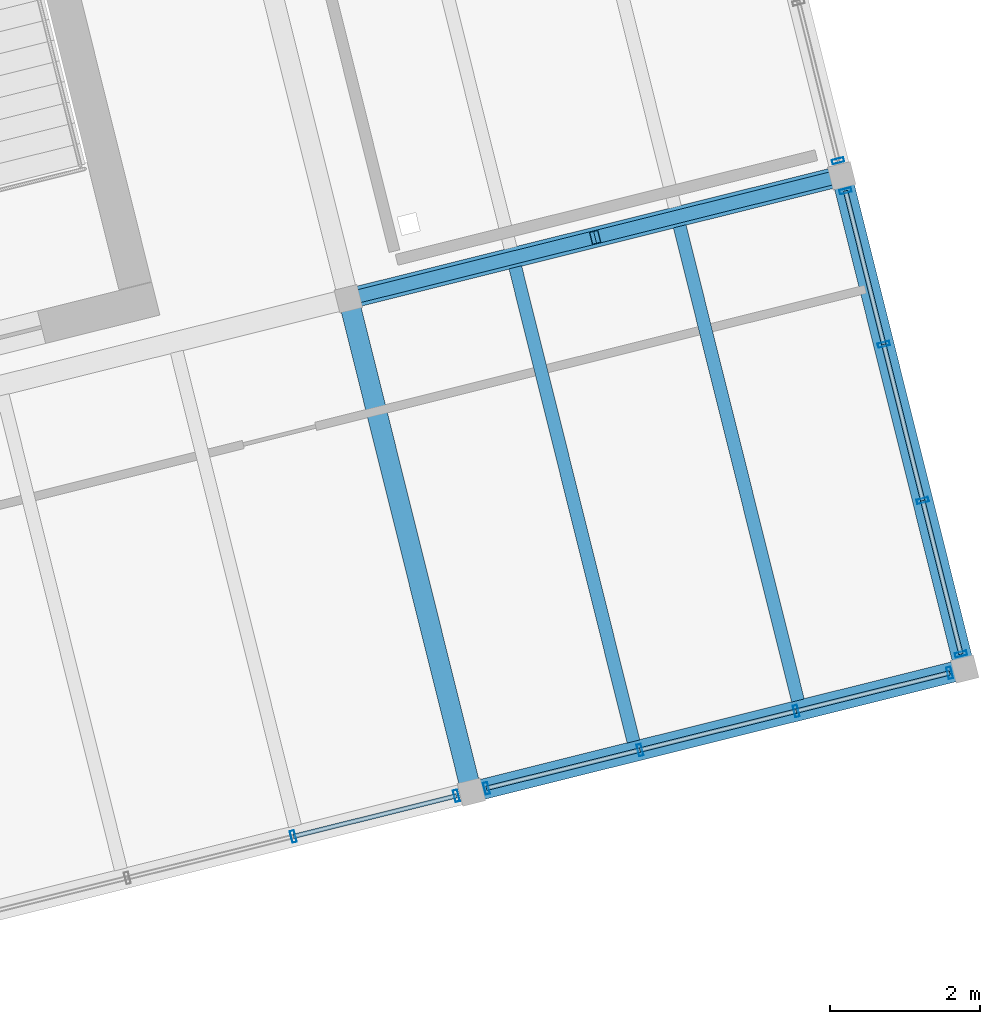
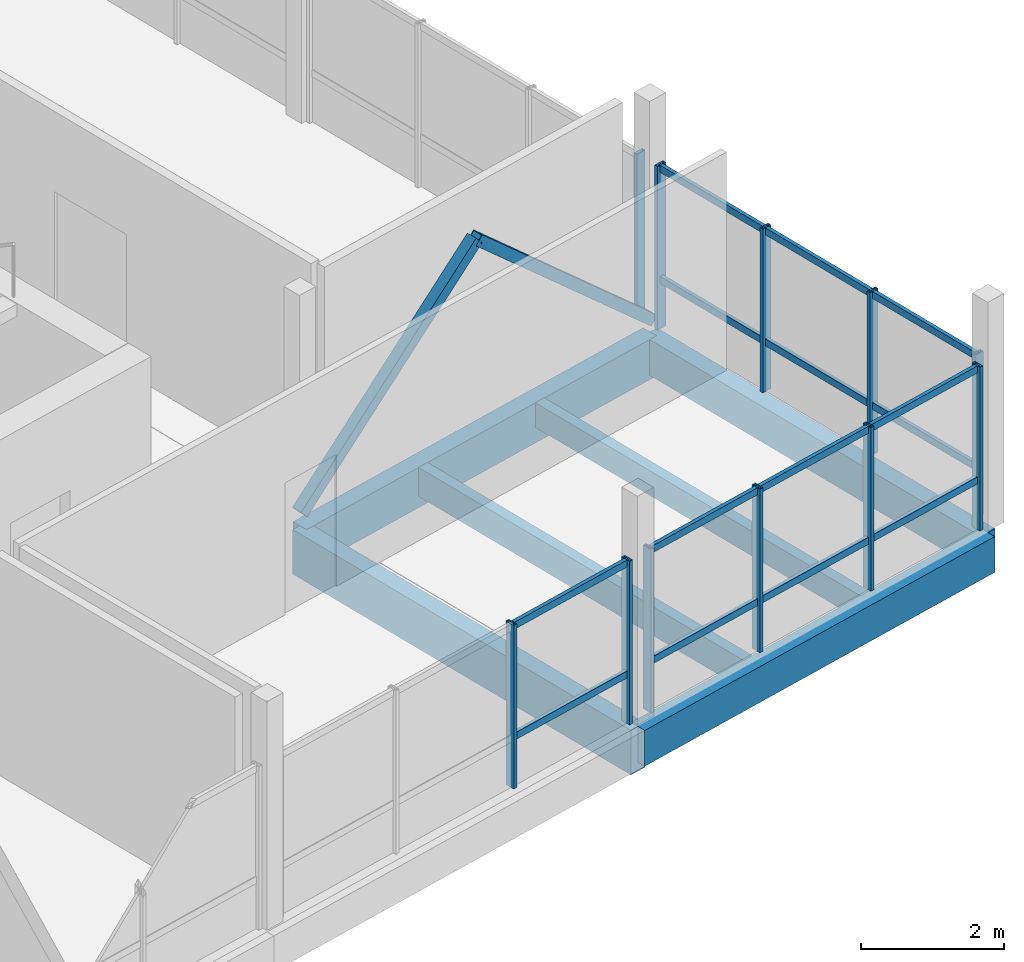
# One storey, part 16 of 25: 27 members, 6 beams, 4 elements without a shape of their own.
"""IFC4 building model written with IfcOpenShell, lengths in metres."""

from ifc_helpers import new_model, si_unit, direction, frame, origin, origin_2d, place, context, subcontext, project, spatial, rectangle, hollow_rectangle, extrude, material, layer, layer_set, material_profile, profile_set, type_object, element, aggregate, save


model = new_model("IFC4")

# Units and contexts
model_context = context("Model", 3, precision=1e-05, world=origin(), true_north=direction((0.0, 1.0)))
body_context = subcontext(model_context, "Body", "Model", "MODEL_VIEW")
ifc_project = project(units=[si_unit("LENGTHUNIT", "METRE"), si_unit("AREAUNIT", "SQUARE_METRE"), si_unit("VOLUMEUNIT", "CUBIC_METRE"), si_unit("PLANEANGLEUNIT", "RADIAN"), si_unit("MASSUNIT", "GRAM", prefix="KILO")], contexts=[model_context])

# Site, building, storey
site_placement = place(None, origin())
site = spatial("IfcSite", under=ifc_project, at=site_placement, CompositionType="ELEMENT")
building_placement = place(site_placement, origin())
building = spatial("IfcBuilding", under=site, at=building_placement, Name="Meriwether Solvik Hall", CompositionType="ELEMENT")
storey_placement = place(building_placement, frame((0.0, 0.0, 49.5)))
storey = spatial("IfcBuildingStorey", under=building, at=storey_placement, Name="L12", CompositionType="ELEMENT", Elevation=49.5)

# Beams
ifc_material_1 = material(Name="Glulam Douglas-Fir 24F-V8 GL28h", Category="wood")
ifc_material_profile_1 = material_profile(ifc_material_1, rectangle(XDim=0.27294921875, YDim=0.610107421875, at=origin_2d()), Name="GLB-273X610")
ifc_profile_set_1 = profile_set([ifc_material_profile_1], Name="Glulam Douglas-Fir 24F-V8 GL28h")
beam_type_1 = type_object("IfcBeamType", Name="BM-GL-273X610", PredefinedType="SPANDREL", material=ifc_profile_set_1)
for number, where, z_axis, x_axis, name in (
    (1, (96.9326171875, 48.26416015625, -0.485107421875), (0.970298579828, 0.24191045034, 0.0), (-0.24191045034, 0.970298579828, 0.0), "Tower Girder TA:T5-T6 (L12)"),
    (2, (103.53076171875, 49.9091796875, -0.485107421875), (-0.2419526798, 0.970288050394, 0.0), (-0.970288050394, -0.2419526798, 0.0), "Tower Girder T6:TA-TB (L12)"),
):
    element("IfcBeam", number, at=place(storey_placement, frame(where, z_axis=z_axis, x_axis=x_axis)), inside=storey, type_object=beam_type_1, Name=name, PredefinedType="SPANDREL", context=body_context, shape_type="SweptSolid", body=[
        extrude(rectangle(XDim=0.27294921875, YDim=0.610107421875, at=origin_2d()), origin(), (0.0, 0.0, 1.0), 6.800048828125),
    ])
ifc_material_2 = material(Name="Glulam Douglas-Fir 24F-V8 GL28h", Category="wood")
ifc_material_profile_2 = material_profile(ifc_material_2, rectangle(XDim=0.27294921875, YDim=0.68505859375, at=origin_2d()), Name="GLB-273X685")
ifc_profile_set_2 = profile_set([ifc_material_profile_2], Name="Glulam Douglas-Fir 24F-V8 GL28h")
beam_type_2 = type_object("IfcBeamType", Name="BM-GL-273X685", PredefinedType="BEAM", material=ifc_profile_set_2)
beam_1_placement = place(storey_placement, frame((95.28759765625, 54.862060546875, -0.5224609375), z_axis=(0.970296478685, 0.241918877831, 0.0), x_axis=(-0.241918877831, 0.970296478685, 0.0)))
element("IfcBeam", 3, at=beam_1_placement, inside=storey, type_object=beam_type_2, Name="Tower Girder TB:T5-T6 (L12)", PredefinedType="BEAM", context=body_context, shape_type="SweptSolid", body=[
    extrude(rectangle(XDim=0.27294921875, YDim=0.68505859375, at=origin_2d()), origin(), (0.0, 0.0, 1.0), 6.7998046875),
])
ifc_material_3 = material(Name="Glulam Douglas-Fir 24F-V8 GL28h", Category="wood")
ifc_material_profile_3 = material_profile(ifc_material_3, rectangle(XDim=0.27294921875, YDim=0.760009765625, at=origin_2d()), Name="GLB-273X760")
ifc_profile_set_3 = profile_set([ifc_material_profile_3], Name="Glulam Douglas-Fir 24F-V8 GL28h")
beam_type_3 = type_object("IfcBeamType", Name="BM-GL-273X760", PredefinedType="BEAM", material=ifc_profile_set_3)
beam_2_placement = place(storey_placement, frame((96.9326171875, 48.26416015625, -0.56005859375), z_axis=(-0.241918877831, 0.970296478685, 0.0), x_axis=(-0.970296478685, -0.241918877831, 0.0)))
element("IfcBeam", 4, at=beam_2_placement, inside=storey, type_object=beam_type_3, Name="Tower Girder T5:TA-TB (L12)", PredefinedType="BEAM", context=body_context, shape_type="SweptSolid", body=[
    extrude(rectangle(XDim=0.27294921875, YDim=0.760009765625, at=origin_2d()), origin(), (0.0, 0.0, 1.0), 6.7998046875),
])

# Curtain wall, members
ifc_material_4 = material(Name="Thermally Broken Anodised Aluminium 6063-T6 and Low-E Glass", Category="aluminium")
ifc_layer_1 = layer(ifc_material_4, 0.179931640625)
ifc_layer_set_1 = layer_set([ifc_layer_1], Name="Thermally Broken Anodised Aluminium 6063-T6 and Low-E Glass")
curtain_wall_type_1 = type_object("IfcCurtainWallType", Name="CW-UNIT-F", PredefinedType="USERDEFINED", material=ifc_layer_set_1)
curtain_wall_1_placement = place(storey_placement, origin())
curtain_wall_1 = element("IfcCurtainWall", 5, at=curtain_wall_1_placement, inside=storey, type_object=curtain_wall_type_1, Name="Curtain Wall E0_B3 (L12)", ObjectType="UNITISED CURTAIN WALL", PredefinedType="USERDEFINED")
ifc_material_5 = material(Name="Anodised Aluminium 6063-T6", Category="aluminium")
ifc_material_profile_4 = material_profile(ifc_material_5, hollow_rectangle(XDim=0.06005859375, YDim=0.159912109375, WallThickness=0.00390625, at=origin_2d()), Name="CWM-60X160")
ifc_profile_set_4 = profile_set([ifc_material_profile_4], Name="Anodised Aluminium 6063-T6")
member_type_1 = type_object("IfcMemberType", Name="CW-MUL-60X160", PredefinedType="MULLION", material=ifc_profile_set_4)
member_1_placement = place(storey_placement, frame((96.731201171875, 48.2138671875, 0.0), z_axis=(0.0, 0.0, 1.0), x_axis=(-0.970295696551, -0.241922014821, 0.0)))
member_1 = element("IfcMember", 6, at=member_1_placement, type_object=member_type_1, Name="Curtain Wall Mullion 1", PredefinedType="MULLION", context=body_context, shape_type="SweptSolid", body=[
    extrude(hollow_rectangle(XDim=0.06005859375, YDim=0.159912109375, WallThickness=0.00390625, at=origin_2d()), origin(), (0.0, 0.0, 1.0), 2.7900390625),
])
member_2_placement = place(storey_placement, frame((94.549072265625, 47.669921875, 0.0), z_axis=(0.0, 0.0, 1.0), x_axis=(-0.970295696551, -0.241922014821, 0.0)))
member_2 = element("IfcMember", 7, at=member_2_placement, type_object=member_type_1, Name="Curtain Wall Mullion 2", PredefinedType="MULLION", context=body_context, shape_type="SweptSolid", body=[
    extrude(hollow_rectangle(XDim=0.06005859375, YDim=0.159912109375, WallThickness=0.00390625, at=origin_2d()), origin(), (0.0, 0.0, 1.0), 2.7900390625),
])

ifc_material_6 = material(Name="Thermally Broken Anodised Aluminium 6063-T6 and Low-E Glass", Category="aluminium")
ifc_layer_2 = layer(ifc_material_6, 0.179931640625)
ifc_layer_set_2 = layer_set([ifc_layer_2], Name="Thermally Broken Anodised Aluminium 6063-T6 and Low-E Glass")
curtain_wall_type_2 = type_object("IfcCurtainWallType", Name="CW-UNIT-G", PredefinedType="USERDEFINED", material=ifc_layer_set_2)
curtain_wall_2_placement = place(storey_placement, origin())
curtain_wall_2 = element("IfcCurtainWall", 8, at=curtain_wall_2_placement, inside=storey, type_object=curtain_wall_type_2, Name="Curtain Wall E0_B4 (L12)", ObjectType="UNITISED CURTAIN WALL", PredefinedType="USERDEFINED")
member_3_placement = place(storey_placement, frame((103.329345703125, 49.85888671875, 0.0), z_axis=(0.0, 0.0, 1.0), x_axis=(-0.970295742456, -0.241921830705, 0.0)))
member_3 = element("IfcMember", 9, at=member_3_placement, type_object=member_type_1, Name="Curtain Wall Mullion 1", PredefinedType="MULLION", context=body_context, shape_type="SweptSolid", body=[
    extrude(hollow_rectangle(XDim=0.06005859375, YDim=0.159912109375, WallThickness=0.00390625, at=origin_2d()), origin(), (0.0, 0.0, 1.0), 2.7900390625),
])
member_4_placement = place(storey_placement, frame((101.276611328125, 49.34716796875, 0.0), z_axis=(0.0, 0.0, 1.0), x_axis=(-0.970295742456, -0.241921830705, 0.0)))
member_4 = element("IfcMember", 10, at=member_4_placement, type_object=member_type_1, Name="Curtain Wall Mullion 2", PredefinedType="MULLION", context=body_context, shape_type="SweptSolid", body=[
    extrude(hollow_rectangle(XDim=0.06005859375, YDim=0.159912109375, WallThickness=0.00390625, at=origin_2d()), origin(), (0.0, 0.0, 1.0), 2.7900390625),
])
member_5_placement = place(storey_placement, frame((99.186767578125, 48.826171875, 0.0), z_axis=(0.0, 0.0, 1.0), x_axis=(-0.970295742456, -0.241921830705, 0.0)))
member_5 = element("IfcMember", 11, at=member_5_placement, type_object=member_type_1, Name="Curtain Wall Mullion 3", PredefinedType="MULLION", context=body_context, shape_type="SweptSolid", body=[
    extrude(hollow_rectangle(XDim=0.06005859375, YDim=0.159912109375, WallThickness=0.00390625, at=origin_2d()), origin(), (0.0, 0.0, 1.0), 2.7900390625),
])
member_6_placement = place(storey_placement, frame((97.134033203125, 48.314208984375, 0.0), z_axis=(0.0, 0.0, 1.0), x_axis=(-0.970295742456, -0.241921830705, 0.0)))
member_6 = element("IfcMember", 12, at=member_6_placement, type_object=member_type_1, Name="Curtain Wall Mullion 4", PredefinedType="MULLION", context=body_context, shape_type="SweptSolid", body=[
    extrude(hollow_rectangle(XDim=0.06005859375, YDim=0.159912109375, WallThickness=0.00390625, at=origin_2d()), origin(), (0.0, 0.0, 1.0), 2.7900390625),
])

ifc_material_7 = material(Name="Thermally Broken Anodised Aluminium 6063-T6 and Low-E Glass", Category="aluminium")
ifc_layer_3 = layer(ifc_material_7, 0.179931640625)
ifc_layer_set_3 = layer_set([ifc_layer_3], Name="Thermally Broken Anodised Aluminium 6063-T6 and Low-E Glass")
curtain_wall_type_3 = type_object("IfcCurtainWallType", Name="CW-UNIT-D", PredefinedType="USERDEFINED", material=ifc_layer_set_3)
curtain_wall_3_placement = place(storey_placement, origin())
curtain_wall_3 = element("IfcCurtainWall", 13, at=curtain_wall_3_placement, inside=storey, type_object=curtain_wall_type_3, Name="Curtain Wall E1_B0 (L12)", ObjectType="UNITISED CURTAIN WALL", PredefinedType="USERDEFINED")
member_7_placement = place(storey_placement, frame((101.935791015625, 56.305908203125, 0.0), z_axis=(0.0, 0.0, 1.0), x_axis=(0.241921830705, -0.970295742456, 0.0)))
member_7 = element("IfcMember", 14, at=member_7_placement, type_object=member_type_1, Name="Curtain Wall Mullion 1", PredefinedType="MULLION", context=body_context, shape_type="SweptSolid", body=[
    extrude(hollow_rectangle(XDim=0.06005859375, YDim=0.159912109375, WallThickness=0.00390625, at=origin_2d()), origin(), (0.0, 0.0, 1.0), 2.7900390625),
])
member_8_placement = place(storey_placement, frame((102.447509765625, 54.2529296875, 0.0), z_axis=(0.0, 0.0, 1.0), x_axis=(0.241921830705, -0.970295742456, 0.0)))
member_8 = element("IfcMember", 15, at=member_8_placement, type_object=member_type_1, Name="Curtain Wall Mullion 2", PredefinedType="MULLION", context=body_context, shape_type="SweptSolid", body=[
    extrude(hollow_rectangle(XDim=0.06005859375, YDim=0.159912109375, WallThickness=0.00390625, at=origin_2d()), origin(), (0.0, 0.0, 1.0), 2.7900390625),
])
member_9_placement = place(storey_placement, frame((102.968505859375, 52.163330078125, 0.0), z_axis=(0.0, 0.0, 1.0), x_axis=(0.241921830705, -0.970295742456, 0.0)))
member_9 = element("IfcMember", 16, at=member_9_placement, type_object=member_type_1, Name="Curtain Wall Mullion 3", PredefinedType="MULLION", context=body_context, shape_type="SweptSolid", body=[
    extrude(hollow_rectangle(XDim=0.06005859375, YDim=0.159912109375, WallThickness=0.00390625, at=origin_2d()), origin(), (0.0, 0.0, 1.0), 2.7900390625),
])
member_10_placement = place(storey_placement, frame((103.48046875, 50.110595703125, 0.0), z_axis=(0.0, 0.0, 1.0), x_axis=(0.241921830705, -0.970295742456, 0.0)))
member_10 = element("IfcMember", 17, at=member_10_placement, type_object=member_type_1, Name="Curtain Wall Mullion 4", PredefinedType="MULLION", context=body_context, shape_type="SweptSolid", body=[
    extrude(hollow_rectangle(XDim=0.06005859375, YDim=0.159912109375, WallThickness=0.00390625, at=origin_2d()), origin(), (0.0, 0.0, 1.0), 2.7900390625),
])

# Curtain wall, member
ifc_material_8 = material(Name="Thermally Broken Anodised Aluminium 6063-T6 and Low-E Glass", Category="aluminium")
ifc_layer_4 = layer(ifc_material_8, 0.179931640625)
ifc_layer_set_4 = layer_set([ifc_layer_4], Name="Thermally Broken Anodised Aluminium 6063-T6 and Low-E Glass")
curtain_wall_type_4 = type_object("IfcCurtainWallType", Name="CW-UNIT-E", PredefinedType="USERDEFINED", material=ifc_layer_set_4)
curtain_wall_4_placement = place(storey_placement, origin())
curtain_wall_4 = element("IfcCurtainWall", 18, at=curtain_wall_4_placement, inside=storey, type_object=curtain_wall_type_4, Name="Curtain Wall E1_B1 (L12)", ObjectType="UNITISED CURTAIN WALL", PredefinedType="USERDEFINED")
member_11_placement = place(storey_placement, frame((101.83544921875, 56.70849609375, 0.0), z_axis=(0.0, 0.0, 1.0), x_axis=(0.241921784185, -0.970295754055, 0.0)))
member_11 = element("IfcMember", 19, at=member_11_placement, type_object=member_type_1, Name="Curtain Wall Mullion 4", PredefinedType="MULLION", context=body_context, shape_type="SweptSolid", body=[
    extrude(hollow_rectangle(XDim=0.06005859375, YDim=0.159912109375, WallThickness=0.00390625, at=origin_2d()), origin(), (0.0, 0.0, 1.0), 2.7900390625),
])
aggregate(curtain_wall_4, [member_11])

# Member
ifc_material_9 = material(Name="Anodised Aluminium 6063-T6", Category="aluminium")
ifc_material_profile_5 = material_profile(ifc_material_9, hollow_rectangle(XDim=0.06005859375, YDim=0.1201171875, WallThickness=0.00390625, at=origin_2d()), Name="CWT-60X120")
ifc_profile_set_5 = profile_set([ifc_material_profile_5], Name="Anodised Aluminium 6063-T6")
member_type_2 = type_object("IfcMemberType", Name="CW-TRN-60X120", PredefinedType="USERDEFINED", material=ifc_profile_set_5)
member_12_placement = place(storey_placement, frame((96.731201171875, 48.2138671875, 0.8369140625), z_axis=(-0.970308305597, -0.241871437108, 0.0), x_axis=(0.241871437108, -0.970308305597, 0.0)))
member_12 = element("IfcMember", 20, at=member_12_placement, type_object=member_type_2, Name="Curtain Wall Transom 1-sill", ObjectType="TRANSOM", PredefinedType="USERDEFINED", context=body_context, shape_type="SweptSolid", body=[
    extrude(hollow_rectangle(XDim=0.06005859375, YDim=0.1201171875, WallThickness=0.00390625, at=origin_2d()), origin(), (0.0, 0.0, 1.0), 2.2490234375),
])

member_13_placement = place(storey_placement, frame((96.731201171875, 48.2138671875, 2.72998046875), z_axis=(-0.970308305597, -0.241871437108, 0.0), x_axis=(0.241871437108, -0.970308305597, 0.0)))
member_13 = element("IfcMember", 21, at=member_13_placement, type_object=member_type_2, Name="Curtain Wall Transom 1-head", ObjectType="TRANSOM", PredefinedType="USERDEFINED", context=body_context, shape_type="SweptSolid", body=[
    extrude(hollow_rectangle(XDim=0.06005859375, YDim=0.1201171875, WallThickness=0.00390625, at=origin_2d()), origin(), (0.0, 0.0, 1.0), 2.2490234375),
])

aggregate(curtain_wall_1, [member_1, member_2, member_12, member_13])

member_14_placement = place(storey_placement, frame((103.329345703125, 49.85888671875, 0.8369140625), z_axis=(-0.970305202605, -0.24188388495, 0.0), x_axis=(0.24188388495, -0.970305202605, 0.0)))
member_14 = element("IfcMember", 22, at=member_14_placement, type_object=member_type_2, Name="Curtain Wall Transom 1-sill", ObjectType="TRANSOM", PredefinedType="USERDEFINED", context=body_context, shape_type="SweptSolid", body=[
    extrude(hollow_rectangle(XDim=0.06005859375, YDim=0.1201171875, WallThickness=0.00390625, at=origin_2d()), origin(), (0.0, 0.0, 1.0), 2.115478515625),
])

member_15_placement = place(storey_placement, frame((103.329345703125, 49.85888671875, 2.72998046875), z_axis=(-0.970305202605, -0.24188388495, 0.0), x_axis=(0.24188388495, -0.970305202605, 0.0)))
member_15 = element("IfcMember", 23, at=member_15_placement, type_object=member_type_2, Name="Curtain Wall Transom 1-head", ObjectType="TRANSOM", PredefinedType="USERDEFINED", context=body_context, shape_type="SweptSolid", body=[
    extrude(hollow_rectangle(XDim=0.06005859375, YDim=0.1201171875, WallThickness=0.00390625, at=origin_2d()), origin(), (0.0, 0.0, 1.0), 2.115478515625),
])

member_16_placement = place(storey_placement, frame((101.276611328125, 49.34716796875, 0.8369140625), z_axis=(-0.970302316838, -0.241895460763, 0.0), x_axis=(0.241895460763, -0.970302316838, 0.0)))
member_16 = element("IfcMember", 24, at=member_16_placement, type_object=member_type_2, Name="Curtain Wall Transom 2-sill", ObjectType="TRANSOM", PredefinedType="USERDEFINED", context=body_context, shape_type="SweptSolid", body=[
    extrude(hollow_rectangle(XDim=0.06005859375, YDim=0.1201171875, WallThickness=0.00390625, at=origin_2d()), origin(), (0.0, 0.0, 1.0), 2.15380859375),
])

member_17_placement = place(storey_placement, frame((101.276611328125, 49.34716796875, 2.72998046875), z_axis=(-0.970302316838, -0.241895460763, 0.0), x_axis=(0.241895460763, -0.970302316838, 0.0)))
member_17 = element("IfcMember", 25, at=member_17_placement, type_object=member_type_2, Name="Curtain Wall Transom 2-head", ObjectType="TRANSOM", PredefinedType="USERDEFINED", context=body_context, shape_type="SweptSolid", body=[
    extrude(hollow_rectangle(XDim=0.06005859375, YDim=0.1201171875, WallThickness=0.00390625, at=origin_2d()), origin(), (0.0, 0.0, 1.0), 2.15380859375),
])

member_18_placement = place(storey_placement, frame((99.186767578125, 48.826171875, 0.8369140625), z_axis=(-0.970278112146, -0.241992531062, 0.0), x_axis=(0.241992531062, -0.970278112146, 0.0)))
member_18 = element("IfcMember", 26, at=member_18_placement, type_object=member_type_2, Name="Curtain Wall Transom 3-sill", ObjectType="TRANSOM", PredefinedType="USERDEFINED", context=body_context, shape_type="SweptSolid", body=[
    extrude(hollow_rectangle(XDim=0.06005859375, YDim=0.1201171875, WallThickness=0.00390625, at=origin_2d()), origin(), (0.0, 0.0, 1.0), 2.11572265625),
])

member_19_placement = place(storey_placement, frame((99.186767578125, 48.826171875, 2.72998046875), z_axis=(-0.970278112146, -0.241992531062, 0.0), x_axis=(0.241992531062, -0.970278112146, 0.0)))
member_19 = element("IfcMember", 27, at=member_19_placement, type_object=member_type_2, Name="Curtain Wall Transom 3-head", ObjectType="TRANSOM", PredefinedType="USERDEFINED", context=body_context, shape_type="SweptSolid", body=[
    extrude(hollow_rectangle(XDim=0.06005859375, YDim=0.1201171875, WallThickness=0.00390625, at=origin_2d()), origin(), (0.0, 0.0, 1.0), 2.11572265625),
])

aggregate(curtain_wall_2, [member_3, member_4, member_5, member_6, member_14, member_15, member_16, member_17, member_18, member_19])

member_20_placement = place(storey_placement, frame((101.935791015625, 56.305908203125, 0.8369140625), z_axis=(0.241856802757, -0.970311953425, 0.0), x_axis=(0.970311953425, 0.241856802757, 0.0)))
member_20 = element("IfcMember", 28, at=member_20_placement, type_object=member_type_2, Name="Curtain Wall Transom 1-sill", ObjectType="TRANSOM", PredefinedType="USERDEFINED", context=body_context, shape_type="SweptSolid", body=[
    extrude(hollow_rectangle(XDim=0.06005859375, YDim=0.1201171875, WallThickness=0.00390625, at=origin_2d()), origin(), (0.0, 0.0, 1.0), 2.11572265625),
])

member_21_placement = place(storey_placement, frame((101.935791015625, 56.305908203125, 2.72998046875), z_axis=(0.241856802757, -0.970311953425, 0.0), x_axis=(0.970311953425, 0.241856802757, 0.0)))
member_21 = element("IfcMember", 29, at=member_21_placement, type_object=member_type_2, Name="Curtain Wall Transom 1-head", ObjectType="TRANSOM", PredefinedType="USERDEFINED", context=body_context, shape_type="SweptSolid", body=[
    extrude(hollow_rectangle(XDim=0.06005859375, YDim=0.1201171875, WallThickness=0.00390625, at=origin_2d()), origin(), (0.0, 0.0, 1.0), 2.11572265625),
])

member_22_placement = place(storey_placement, frame((102.447509765625, 54.2529296875, 0.8369140625), z_axis=(0.241922068895, -0.970295683069, 0.0), x_axis=(0.970295683069, 0.241922068895, 0.0)))
member_22 = element("IfcMember", 30, at=member_22_placement, type_object=member_type_2, Name="Curtain Wall Transom 2-sill", ObjectType="TRANSOM", PredefinedType="USERDEFINED", context=body_context, shape_type="SweptSolid", body=[
    extrude(hollow_rectangle(XDim=0.06005859375, YDim=0.1201171875, WallThickness=0.00390625, at=origin_2d()), origin(), (0.0, 0.0, 1.0), 2.153564453125),
])

member_23_placement = place(storey_placement, frame((102.447509765625, 54.2529296875, 2.72998046875), z_axis=(0.241922068895, -0.970295683069, 0.0), x_axis=(0.970295683069, 0.241922068895, 0.0)))
member_23 = element("IfcMember", 31, at=member_23_placement, type_object=member_type_2, Name="Curtain Wall Transom 2-head", ObjectType="TRANSOM", PredefinedType="USERDEFINED", context=body_context, shape_type="SweptSolid", body=[
    extrude(hollow_rectangle(XDim=0.06005859375, YDim=0.1201171875, WallThickness=0.00390625, at=origin_2d()), origin(), (0.0, 0.0, 1.0), 2.153564453125),
])

member_24_placement = place(storey_placement, frame((102.968505859375, 52.163330078125, 0.8369140625), z_axis=(0.241992531062, -0.970278112146, 0.0), x_axis=(0.970278112146, 0.241992531062, 0.0)))
member_24 = element("IfcMember", 32, at=member_24_placement, type_object=member_type_2, Name="Curtain Wall Transom 3-sill", ObjectType="TRANSOM", PredefinedType="USERDEFINED", context=body_context, shape_type="SweptSolid", body=[
    extrude(hollow_rectangle(XDim=0.06005859375, YDim=0.1201171875, WallThickness=0.00390625, at=origin_2d()), origin(), (0.0, 0.0, 1.0), 2.11572265625),
])

member_25_placement = place(storey_placement, frame((102.968505859375, 52.163330078125, 2.72998046875), z_axis=(0.241992531062, -0.970278112146, 0.0), x_axis=(0.970278112146, 0.241992531062, 0.0)))
member_25 = element("IfcMember", 33, at=member_25_placement, type_object=member_type_2, Name="Curtain Wall Transom 3-head", ObjectType="TRANSOM", PredefinedType="USERDEFINED", context=body_context, shape_type="SweptSolid", body=[
    extrude(hollow_rectangle(XDim=0.06005859375, YDim=0.1201171875, WallThickness=0.00390625, at=origin_2d()), origin(), (0.0, 0.0, 1.0), 2.11572265625),
])

aggregate(curtain_wall_3, [member_7, member_8, member_9, member_10, member_20, member_21, member_22, member_23, member_24, member_25])

# Beams
ifc_material_10 = material(Name="Glulam Douglas-Fir 24F-V8 GL28h", Category="wood")
ifc_material_profile_6 = material_profile(ifc_material_10, rectangle(XDim=0.175048828125, YDim=0.419921875, at=origin_2d()), Name="GLJ-175X420")
ifc_profile_set_6 = profile_set([ifc_material_profile_6], Name="Glulam Douglas-Fir 24F-V8 GL28h")
beam_type_4 = type_object("IfcBeamType", Name="JST-GL-175X420", PredefinedType="JOIST", material=ifc_profile_set_6)
beam_3_placement = place(storey_placement, frame((101.299560546875, 49.488525390625, -0.389892578125), z_axis=(-0.241938016776, 0.970291706673, 0.0), x_axis=(-0.970291706673, -0.241938016776, 0.0)))
element("IfcBeam", 34, at=beam_3_placement, inside=storey, type_object=beam_type_4, Name="Glulam Floor Joist T5/TA-J2 (L12)", PredefinedType="JOIST", context=body_context, shape_type="SweptSolid", body=[
    extrude(rectangle(XDim=0.175048828125, YDim=0.419921875, at=origin_2d()), origin(), (0.0, 0.0, 1.0), 6.536865234375),
])
ifc_material_11 = material(Name="Glulam Douglas-Fir 24F-V8 GL28h", Category="wood")
ifc_material_profile_7 = material_profile(ifc_material_11, rectangle(XDim=0.175048828125, YDim=0.4951171875, at=origin_2d()), Name="GLJ-175X495")
ifc_profile_set_7 = profile_set([ifc_material_profile_7], Name="Glulam Douglas-Fir 24F-V8 GL28h")
beam_type_5 = type_object("IfcBeamType", Name="JST-GL-175X495", PredefinedType="JOIST", material=ifc_profile_set_7)
beam_4_placement = place(storey_placement, frame((99.10009765625, 48.940185546875, -0.427490234375), z_axis=(-0.241902854765, 0.970300473491, 0.0), x_axis=(-0.970300473491, -0.241902854765, 0.0)))
element("IfcBeam", 35, at=beam_4_placement, inside=storey, type_object=beam_type_5, Name="Glulam Floor Joist T5/TA-J1 (L12)", PredefinedType="JOIST", context=body_context, shape_type="SweptSolid", body=[
    extrude(rectangle(XDim=0.175048828125, YDim=0.4951171875, at=origin_2d()), origin(), (0.0, 0.0, 1.0), 6.536865234375),
])

# Members
ifc_material_12 = material(Name="Steel A500 Grade C", Category="steel")
ifc_material_profile_8 = material_profile(ifc_material_12, hollow_rectangle(XDim=0.177978515625, YDim=0.177978515625, WallThickness=0.009521484375, at=origin_2d()), Name="HSS178X178X9.5")
ifc_profile_set_8 = profile_set([ifc_material_profile_8], Name="Steel A500 Grade C")
member_type_3 = type_object("IfcMemberType", Name="MEM-BR-HSS178", PredefinedType="BRACE", material=ifc_profile_set_8)
for number, where, z_axis, x_axis, name in (
    (36, (95.28759765625, 54.862060546875, 0.050048828125), (0.724931924359, 0.180736746331, 0.664686342248), (-0.24191045034, 0.970298579828, 0.0), "Tower Chevron Brace L12-B3A"),
    (37, (101.885498046875, 56.507080078125, 0.050048828125), (-0.724906468782, -0.180743775409, 0.664712192733), (0.241927305891, -0.970294377323, 0.0), "Tower Chevron Brace L12-B3B"),
):
    element("IfcMember", number, at=place(storey_placement, frame(where, z_axis=z_axis, x_axis=x_axis)), inside=storey, type_object=member_type_3, Name=name, PredefinedType="BRACE", context=body_context, shape_type="SweptSolid", body=[
        extrude(hollow_rectangle(XDim=0.177978515625, YDim=0.177978515625, WallThickness=0.009521484375, at=origin_2d()), origin(), (0.0, 0.0, 1.0), 4.55078125),
    ])

save(model, "model.ifc")
